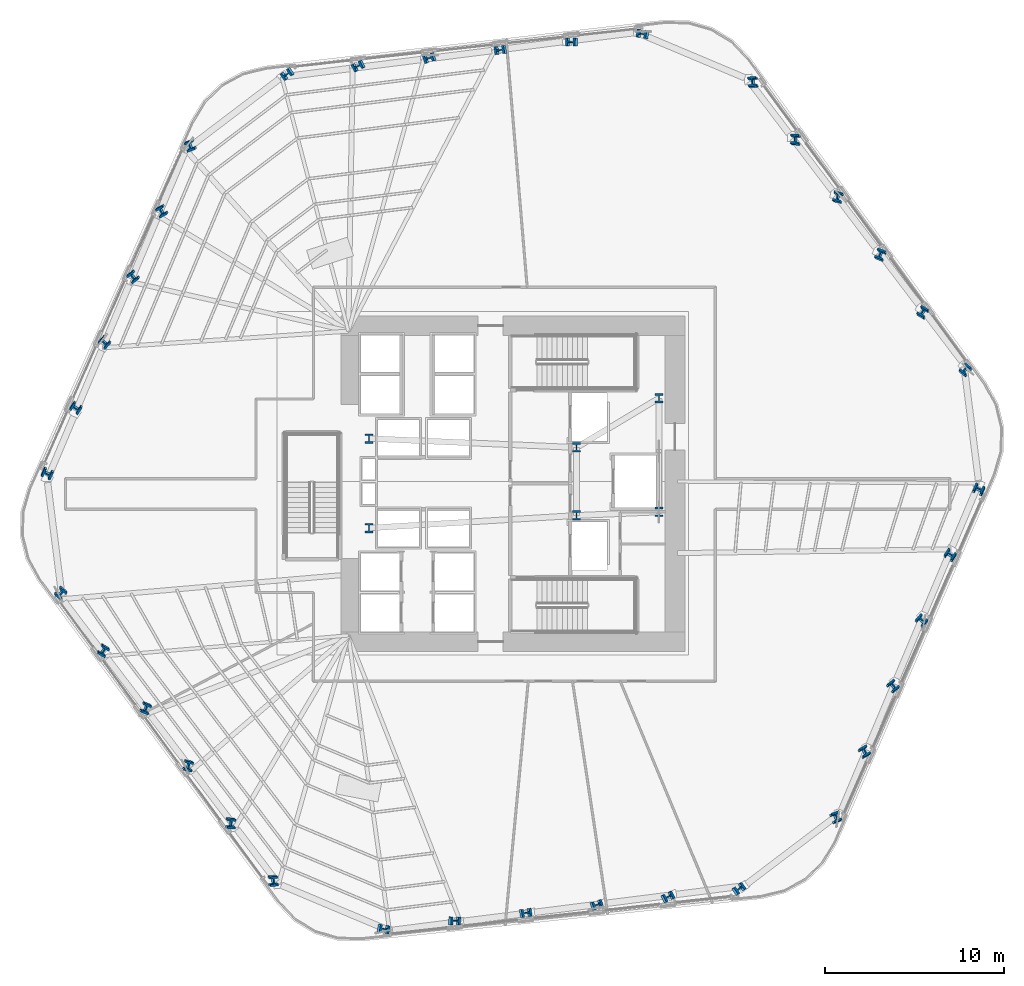
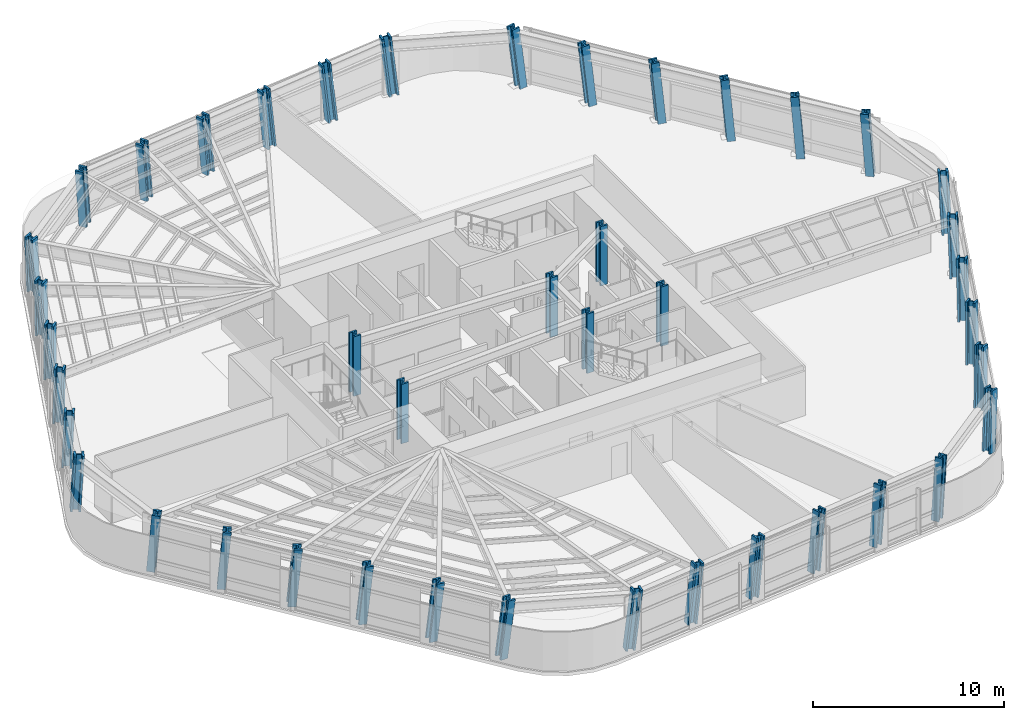
# One storey, part 1 of 16: 42 columns.
"""IFC4 building model written with IfcOpenShell, lengths in metres."""

from ifc_helpers import new_model, si_unit, direction, frame, origin, origin_2d, place, context, subcontext, project, spatial, i_section, extrude, material, material_profile, profile_set, type_object, element, save


model = new_model("IFC4")

# Units and contexts
model_context = context("Model", 3, precision=1e-05, world=origin(), true_north=direction((0.0, 1.0)))
body_context = subcontext(model_context, "Body", "Model", "MODEL_VIEW")
ifc_project = project(units=[si_unit("LENGTHUNIT", "METRE"), si_unit("AREAUNIT", "SQUARE_METRE"), si_unit("VOLUMEUNIT", "CUBIC_METRE"), si_unit("PLANEANGLEUNIT", "RADIAN"), si_unit("MASSUNIT", "GRAM", prefix="KILO")], contexts=[model_context])

# Site, building, storey
site_placement = place(None, origin())
site = spatial("IfcSite", under=ifc_project, at=site_placement, CompositionType="ELEMENT")
building_placement = place(site_placement, origin())
building = spatial("IfcBuilding", under=site, at=building_placement, Name="Valkerne Bourse Tower", CompositionType="ELEMENT")
storey_placement = place(building_placement, frame((0.0, 0.0, 50.60009765625)))
storey = spatial("IfcBuildingStorey", under=building, at=storey_placement, Name="L12", CompositionType="ELEMENT", Elevation=50.60009765625)

# Columns
ifc_material = material(Name="Steel ASTM A913 Grade 65", Category="steel")
ifc_material_profile_1 = material_profile(ifc_material, i_section(OverallWidth=0.44189453125, OverallDepth=0.531005859375, WebThickness=0.06591796875, FlangeThickness=0.105712890625, FilletRadius=0.030517578125, at=origin_2d()), Name="W14X605")
ifc_profile_set_1 = profile_set([ifc_material_profile_1], Name="Steel ASTM A913 Grade 65")
column_type_1 = type_object("IfcColumnType", Name="COL-W14X605", PredefinedType="COLUMN", material=ifc_profile_set_1)
for number, where, z_axis, x_axis, name in (
    (1, (38.75, 24.39990234375, 0.0048828125), (0.0, 0.0, 1.0), (1.0, 0.0, 0.0), "L12 Core Frame Column CC-SW"),
    (2, (38.75, 29.39990234375, 0.0048828125), (0.0, 0.0, 1.0), (1.0, 0.0, 0.0), "L12 Core Frame Column CC-NW"),
    (3, (50.35009765625, 25.10009765625, 0.0048828125), (0.0, 0.0, 1.0), (1.0, 0.0, 0.0), "L12 Core Frame Column CC-CE1"),
    (4, (50.35009765625, 28.89990234375, 0.0048828125), (0.0, 0.0, 1.0), (1.0, 0.0, 0.0), "L12 Core Frame Column CC-CE2"),
    (5, (54.949951171875, 25.300048828125, 0.0048828125), (0.0, 0.0, 1.0), (1.0, 0.0, 0.0), "L12 Core Frame Column CC-SE"),
    (6, (54.949951171875, 31.64990234375, 0.0048828125), (0.0, 0.0, 1.0), (1.0, 0.0, 0.0), "L12 Core Frame Column CC-NE"),
):
    element("IfcColumn", number, at=place(storey_placement, frame(where, z_axis=z_axis, x_axis=x_axis)), inside=storey, type_object=column_type_1, Name=name, PredefinedType="COLUMN", context=body_context, shape_type="SweptSolid", body=[
        extrude(i_section(OverallWidth=0.44189453125, OverallDepth=0.531005859375, WebThickness=0.06591796875, FlangeThickness=0.105712890625, FilletRadius=0.030517578125, at=origin_2d()), origin(), (0.0, 0.0, 1.0), 3.794921875),
    ])
ifc_material_profile_2 = material_profile(ifc_material, i_section(OverallWidth=0.44970703125, OverallDepth=0.548583984375, WebThickness=0.072021484375, FlangeThickness=0.11474609375, FilletRadius=0.030517578125, at=origin_2d()), Name="W14X665")
ifc_profile_set_2 = profile_set([ifc_material_profile_2], Name="Steel ASTM A913 Grade 65")
column_type_2 = type_object("IfcColumnType", Name="COL-W14X665", PredefinedType="COLUMN", material=ifc_profile_set_2)
column_1_placement = place(storey_placement, frame((72.08251953125, 33.17626953125, 0.010009765625), z_axis=(-0.026320506817, 0.104190689181, 0.994208997751), x_axis=(0.770230151317, -0.631858012514, 0.086608117541)))
element("IfcColumn", 7, at=column_1_placement, inside=storey, type_object=column_type_2, Name="L12 Helical Perimeter Tube Column F1-C1", PredefinedType="COLUMN", context=body_context, shape_type="SweptSolid", body=[
    extrude(i_section(OverallWidth=0.44970703125, OverallDepth=0.548583984375, WebThickness=0.072021484375, FlangeThickness=0.11474609375, FilletRadius=0.030517578125, at=origin_2d()), origin(), (0.0, 0.0, 1.0), 3.802978515625),
])
column_2_placement = place(storey_placement, frame((69.716796875, 36.396484375, 0.010009765625), z_axis=(-0.0395663128, 0.094419610092, 0.994745919379), x_axis=(0.855854243574, -0.510593947233, 0.082506574319)))
element("IfcColumn", 8, at=column_2_placement, inside=storey, type_object=column_type_2, Name="L12 Helical Perimeter Tube Column F1-C2", PredefinedType="COLUMN", context=body_context, shape_type="SweptSolid", body=[
    extrude(i_section(OverallWidth=0.44970703125, OverallDepth=0.548583984375, WebThickness=0.072021484375, FlangeThickness=0.11474609375, FilletRadius=0.030517578125, at=origin_2d()), origin(), (0.0, 0.0, 1.0), 3.801025390625),
])
for number, where, z_axis, x_axis, name in (
    (9, (67.35107421875, 39.6171875, 0.010009765625), (-0.052812375645, 0.084551199938, 0.995018566444), (0.926939413738, -0.366508329382, 0.080342813945), "L12 Helical Perimeter Tube Column F1-C3"),
    (10, (64.9853515625, 42.837646484375, 0.010009765625), (-0.066047663668, 0.074656989477, 0.99501961792), (0.974751144871, -0.208342499093, 0.080334355322), "L12 Helical Perimeter Tube Column F1-C4"),
):
    element("IfcColumn", number, at=place(storey_placement, frame(where, z_axis=z_axis, x_axis=x_axis)), inside=storey, type_object=column_type_2, Name=name, PredefinedType="COLUMN", context=body_context, shape_type="SweptSolid", body=[
        extrude(i_section(OverallWidth=0.44970703125, OverallDepth=0.548583984375, WebThickness=0.072021484375, FlangeThickness=0.11474609375, FilletRadius=0.030517578125, at=origin_2d()), origin(), (0.0, 0.0, 1.0), 3.800048828125),
    ])
column_3_placement = place(storey_placement, frame((62.61962890625, 46.05810546875, 0.010009765625), z_axis=(-0.079261338793, 0.064745080635, 0.994749071227), x_axis=(0.99540291324, -0.048680369553, 0.082481888516)))
element("IfcColumn", 11, at=column_3_placement, inside=storey, type_object=column_type_2, Name="L12 Helical Perimeter Tube Column F1-C5", PredefinedType="COLUMN", context=body_context, shape_type="SweptSolid", body=[
    extrude(i_section(OverallWidth=0.44970703125, OverallDepth=0.548583984375, WebThickness=0.072021484375, FlangeThickness=0.11474609375, FilletRadius=0.030517578125, at=origin_2d()), origin(), (0.0, 0.0, 1.0), 3.801025390625),
])
for number, where, z_axis, x_axis, name in (
    (12, (60.25390625, 49.278564453125, 0.010009765625), (-0.092442299249, 0.054887615179, 0.994204089214), (0.991210469894, 0.099972490713, 0.086644708277), "L12 Helical Perimeter Tube Column F1-C6"),
    (13, (54.092529296875, 51.9833984375, 0.010009765625), (-0.103420113811, 0.02927347728, 0.994206891742), (0.165734635519, 0.986099851892, -0.011794604161), "L12 Helical Perimeter Tube Column F2-C1"),
):
    element("IfcColumn", number, at=place(storey_placement, frame(where, z_axis=z_axis, x_axis=x_axis)), inside=storey, type_object=column_type_2, Name=name, PredefinedType="COLUMN", context=body_context, shape_type="SweptSolid", body=[
        extrude(i_section(OverallWidth=0.44970703125, OverallDepth=0.548583984375, WebThickness=0.072021484375, FlangeThickness=0.11474609375, FilletRadius=0.030517578125, at=origin_2d()), origin(), (0.0, 0.0, 1.0), 3.802978515625),
    ])
column_4_placement = place(storey_placement, frame((50.12060546875, 51.544921875, 0.010009765625), z_axis=(-0.101549336653, 0.012910446975, 0.994746727858), x_axis=(0.017071691826, 0.999791165117, -0.011233142598)))
element("IfcColumn", 14, at=column_4_placement, inside=storey, type_object=column_type_2, Name="L12 Helical Perimeter Tube Column F2-C2", PredefinedType="COLUMN", context=body_context, shape_type="SweptSolid", body=[
    extrude(i_section(OverallWidth=0.44970703125, OverallDepth=0.548583984375, WebThickness=0.072021484375, FlangeThickness=0.11474609375, FilletRadius=0.030517578125, at=origin_2d()), origin(), (0.0, 0.0, 1.0), 3.801025390625),
])
column_5_placement = place(storey_placement, frame((46.148681640625, 51.106201171875, 0.010009765625), z_axis=(-0.099585816433, -0.003469441347, 0.99502292845), x_axis=(-0.143729274507, 0.989556633011, -0.01093461079)))
element("IfcColumn", 15, at=column_5_placement, inside=storey, type_object=column_type_2, Name="L12 Helical Perimeter Tube Column F2-C3", PredefinedType="COLUMN", context=body_context, shape_type="SweptSolid", body=[
    extrude(i_section(OverallWidth=0.44970703125, OverallDepth=0.548583984375, WebThickness=0.072021484375, FlangeThickness=0.11474609375, FilletRadius=0.030517578125, at=origin_2d()), origin(), (0.0, 0.0, 1.0), 3.7998046875),
])
column_6_placement = place(storey_placement, frame((42.177001953125, 50.667724609375, 0.010009765625), z_axis=(-0.097721890795, -0.019852770714, 0.995015728295), x_axis=(-0.304888212437, 0.952325280387, -0.010942497545)))
element("IfcColumn", 16, at=column_6_placement, inside=storey, type_object=column_type_2, Name="L12 Helical Perimeter Tube Column F2-C4", PredefinedType="COLUMN", context=body_context, shape_type="SweptSolid", body=[
    extrude(i_section(OverallWidth=0.44970703125, OverallDepth=0.548583984375, WebThickness=0.072021484375, FlangeThickness=0.11474609375, FilletRadius=0.030517578125, at=origin_2d()), origin(), (0.0, 0.0, 1.0), 3.800048828125),
])
column_7_placement = place(storey_placement, frame((38.205078125, 50.229248046875, 0.010009765625), z_axis=(-0.095704657067, -0.036226460796, 0.994750351673), x_axis=(-0.453962226803, 0.890950166933, -0.011229277703)))
element("IfcColumn", 17, at=column_7_placement, inside=storey, type_object=column_type_2, Name="L12 Helical Perimeter Tube Column F2-C5", PredefinedType="COLUMN", context=body_context, shape_type="SweptSolid", body=[
    extrude(i_section(OverallWidth=0.44970703125, OverallDepth=0.548583984375, WebThickness=0.072021484375, FlangeThickness=0.11474609375, FilletRadius=0.030517578125, at=origin_2d()), origin(), (0.0, 0.0, 1.0), 3.801025390625),
])
for number, where, z_axis, x_axis, name in (
    (18, (34.233154296875, 49.790771484375, 0.010009765625), (-0.093726340778, -0.052640821533, 0.994205369606), (-0.581859100754, 0.813204056641, -0.01179614907), "L12 Helical Perimeter Tube Column F2-C6"),
    (19, (28.81005859375, 45.80712890625, 0.010009765625), (-0.077099498636, -0.074916831731, 0.994204775503), (-0.933004544867, -0.346139863621, -0.098436345272), "L12 Helical Perimeter Tube Column F3-C1"),
):
    element("IfcColumn", number, at=place(storey_placement, frame(where, z_axis=z_axis, x_axis=x_axis)), inside=storey, type_object=column_type_2, Name=name, PredefinedType="COLUMN", context=body_context, shape_type="SweptSolid", body=[
        extrude(i_section(OverallWidth=0.44970703125, OverallDepth=0.548583984375, WebThickness=0.072021484375, FlangeThickness=0.11474609375, FilletRadius=0.030517578125, at=origin_2d()), origin(), (0.0, 0.0, 1.0), 3.802978515625),
    ])
column_8_placement = place(storey_placement, frame((27.203857421875, 42.148193359375, 0.010009765625), z_axis=(-0.061918799572, -0.081509291138, 0.994747353712), x_axis=(-0.871051529318, -0.482166288417, -0.093727816508)))
element("IfcColumn", 20, at=column_8_placement, inside=storey, type_object=column_type_2, Name="L12 Helical Perimeter Tube Column F3-C2", PredefinedType="COLUMN", context=body_context, shape_type="SweptSolid", body=[
    extrude(i_section(OverallWidth=0.44970703125, OverallDepth=0.548583984375, WebThickness=0.072021484375, FlangeThickness=0.11474609375, FilletRadius=0.030517578125, at=origin_2d()), origin(), (0.0, 0.0, 1.0), 3.801025390625),
])
column_9_placement = place(storey_placement, frame((25.59765625, 38.4892578125, 0.010009765625), z_axis=(-0.046773067549, -0.088020745251, 0.995019913649), x_axis=(-0.782480651534, -0.615949541086, -0.091269889947)))
element("IfcColumn", 21, at=column_9_placement, inside=storey, type_object=column_type_2, Name="L12 Helical Perimeter Tube Column F3-C3", PredefinedType="COLUMN", context=body_context, shape_type="SweptSolid", body=[
    extrude(i_section(OverallWidth=0.44970703125, OverallDepth=0.548583984375, WebThickness=0.072021484375, FlangeThickness=0.11474609375, FilletRadius=0.030517578125, at=origin_2d()), origin(), (0.0, 0.0, 1.0), 3.800048828125),
])
column_10_placement = place(storey_placement, frame((23.991455078125, 34.830078125, 0.010009765625), z_axis=(-0.0316104337, -0.094510056854, 0.995021924198), x_axis=(-0.670188810506, -0.736559651432, -0.09125151043)))
element("IfcColumn", 22, at=column_10_placement, inside=storey, type_object=column_type_2, Name="L12 Helical Perimeter Tube Column F3-C4", PredefinedType="COLUMN", context=body_context, shape_type="SweptSolid", body=[
    extrude(i_section(OverallWidth=0.44970703125, OverallDepth=0.548583984375, WebThickness=0.072021484375, FlangeThickness=0.11474609375, FilletRadius=0.030517578125, at=origin_2d()), origin(), (0.0, 0.0, 1.0), 3.7998046875),
])
column_11_placement = place(storey_placement, frame((22.38525390625, 31.171142578125, 0.010009765625), z_axis=(-0.016443159636, -0.101035508234, 0.9947469269), x_axis=(-0.543041104625, -0.834458353154, -0.093731614405)))
element("IfcColumn", 23, at=column_11_placement, inside=storey, type_object=column_type_2, Name="L12 Helical Perimeter Tube Column F3-C5", PredefinedType="COLUMN", context=body_context, shape_type="SweptSolid", body=[
    extrude(i_section(OverallWidth=0.44970703125, OverallDepth=0.548583984375, WebThickness=0.072021484375, FlangeThickness=0.11474609375, FilletRadius=0.030517578125, at=origin_2d()), origin(), (0.0, 0.0, 1.0), 3.801025390625),
])
for number, where, z_axis, x_axis, name in (
    (24, (20.779296875, 27.51220703125, 0.010009765625), (-0.001283925979, -0.10746460446, 0.994208082004), (-0.412794769728, -0.905492284055, -0.098408341119), "L12 Helical Perimeter Tube Column F3-C6"),
    (25, (21.517578125, 20.82373046875, 0.010009765625), (0.026320506817, -0.104190689181, 0.994208997751), (0.770230151317, -0.631858012514, -0.086608117541), "L12 Helical Perimeter Tube Column F4-C1"),
):
    element("IfcColumn", number, at=place(storey_placement, frame(where, z_axis=z_axis, x_axis=x_axis)), inside=storey, type_object=column_type_2, Name=name, PredefinedType="COLUMN", context=body_context, shape_type="SweptSolid", body=[
        extrude(i_section(OverallWidth=0.44970703125, OverallDepth=0.548583984375, WebThickness=0.072021484375, FlangeThickness=0.11474609375, FilletRadius=0.030517578125, at=origin_2d()), origin(), (0.0, 0.0, 1.0), 3.802978515625),
    ])
column_12_placement = place(storey_placement, frame((23.88330078125, 17.603515625, 0.010009765625), z_axis=(0.0395663128, -0.094419610092, 0.994745919379), x_axis=(0.855854243574, -0.510593947233, -0.082506574319)))
element("IfcColumn", 26, at=column_12_placement, inside=storey, type_object=column_type_2, Name="L12 Helical Perimeter Tube Column F4-C2", PredefinedType="COLUMN", context=body_context, shape_type="SweptSolid", body=[
    extrude(i_section(OverallWidth=0.44970703125, OverallDepth=0.548583984375, WebThickness=0.072021484375, FlangeThickness=0.11474609375, FilletRadius=0.030517578125, at=origin_2d()), origin(), (0.0, 0.0, 1.0), 3.801025390625),
])
for number, where, z_axis, x_axis, name in (
    (27, (26.248779296875, 14.3828125, 0.010009765625), (0.052876444752, -0.084550912872, 0.995015188187), (0.927138102656, -0.365999459324, -0.080369984307), "L12 Helical Perimeter Tube Column F4-C3"),
    (28, (28.614501953125, 11.162353515625, 0.010009765625), (0.066047663668, -0.074656989477, 0.99501961792), (0.974751144871, -0.208342499093, -0.080334355322), "L12 Helical Perimeter Tube Column F4-C4"),
):
    element("IfcColumn", number, at=place(storey_placement, frame(where, z_axis=z_axis, x_axis=x_axis)), inside=storey, type_object=column_type_2, Name=name, PredefinedType="COLUMN", context=body_context, shape_type="SweptSolid", body=[
        extrude(i_section(OverallWidth=0.44970703125, OverallDepth=0.548583984375, WebThickness=0.072021484375, FlangeThickness=0.11474609375, FilletRadius=0.030517578125, at=origin_2d()), origin(), (0.0, 0.0, 1.0), 3.800048828125),
    ])
column_13_placement = place(storey_placement, frame((30.980224609375, 7.94189453125, 0.010009765625), z_axis=(0.079261338793, -0.064745080635, 0.994749071227), x_axis=(0.99540291324, -0.048680369553, -0.082481888516)))
element("IfcColumn", 29, at=column_13_placement, inside=storey, type_object=column_type_2, Name="L12 Helical Perimeter Tube Column F4-C5", PredefinedType="COLUMN", context=body_context, shape_type="SweptSolid", body=[
    extrude(i_section(OverallWidth=0.44970703125, OverallDepth=0.548583984375, WebThickness=0.072021484375, FlangeThickness=0.11474609375, FilletRadius=0.030517578125, at=origin_2d()), origin(), (0.0, 0.0, 1.0), 3.801025390625),
])
for number, where, z_axis, x_axis, name in (
    (30, (33.345947265625, 4.721435546875, 0.010009765625), (0.092442299249, -0.054887615179, 0.994204089214), (0.991210469894, 0.099972490713, -0.086644708277), "L12 Helical Perimeter Tube Column F4-C6"),
    (31, (39.507568359375, 2.0166015625, 0.010009765625), (0.103420113811, -0.02927347728, 0.994206891742), (0.165734635519, 0.986099851892, 0.011794604161), "L12 Helical Perimeter Tube Column F5-C1"),
):
    element("IfcColumn", number, at=place(storey_placement, frame(where, z_axis=z_axis, x_axis=x_axis)), inside=storey, type_object=column_type_2, Name=name, PredefinedType="COLUMN", context=body_context, shape_type="SweptSolid", body=[
        extrude(i_section(OverallWidth=0.44970703125, OverallDepth=0.548583984375, WebThickness=0.072021484375, FlangeThickness=0.11474609375, FilletRadius=0.030517578125, at=origin_2d()), origin(), (0.0, 0.0, 1.0), 3.802978515625),
    ])
column_14_placement = place(storey_placement, frame((43.4794921875, 2.455078125, 0.010009765625), z_axis=(0.10148576732, -0.012910531159, 0.994753214228), x_axis=(0.017150153479, 0.999789899997, 0.011226223762)))
element("IfcColumn", 32, at=column_14_placement, inside=storey, type_object=column_type_2, Name="L12 Helical Perimeter Tube Column F5-C2", PredefinedType="COLUMN", context=body_context, shape_type="SweptSolid", body=[
    extrude(i_section(OverallWidth=0.44970703125, OverallDepth=0.548583984375, WebThickness=0.072021484375, FlangeThickness=0.11474609375, FilletRadius=0.030517578125, at=origin_2d()), origin(), (0.0, 0.0, 1.0), 3.801025390625),
])
column_15_placement = place(storey_placement, frame((47.451171875, 2.893798828125, 0.010009765625), z_axis=(0.099649427558, 0.003469419141, 0.995016560022), x_axis=(-0.143706375472, 0.989559881628, 0.010941586799)))
element("IfcColumn", 33, at=column_15_placement, inside=storey, type_object=column_type_2, Name="L12 Helical Perimeter Tube Column F5-C3", PredefinedType="COLUMN", context=body_context, shape_type="SweptSolid", body=[
    extrude(i_section(OverallWidth=0.44970703125, OverallDepth=0.548583984375, WebThickness=0.072021484375, FlangeThickness=0.11474609375, FilletRadius=0.030517578125, at=origin_2d()), origin(), (0.0, 0.0, 1.0), 3.800048828125),
])
column_16_placement = place(storey_placement, frame((51.423095703125, 3.332275390625, 0.010009765625), z_axis=(0.097658255291, 0.019852895319, 0.995021973486), x_axis=(-0.305011116438, 0.95228600234, 0.010935657149)))
element("IfcColumn", 34, at=column_16_placement, inside=storey, type_object=column_type_2, Name="L12 Helical Perimeter Tube Column F5-C4", PredefinedType="COLUMN", context=body_context, shape_type="SweptSolid", body=[
    extrude(i_section(OverallWidth=0.44970703125, OverallDepth=0.548583984375, WebThickness=0.072021484375, FlangeThickness=0.11474609375, FilletRadius=0.030517578125, at=origin_2d()), origin(), (0.0, 0.0, 1.0), 3.7998046875),
])
column_17_placement = place(storey_placement, frame((55.39501953125, 3.770751953125, 0.010009765625), z_axis=(0.095704657067, 0.036226460796, 0.994750351673), x_axis=(-0.453962226803, 0.890950166933, 0.011229277703)))
element("IfcColumn", 35, at=column_17_placement, inside=storey, type_object=column_type_2, Name="L12 Helical Perimeter Tube Column F5-C5", PredefinedType="COLUMN", context=body_context, shape_type="SweptSolid", body=[
    extrude(i_section(OverallWidth=0.44970703125, OverallDepth=0.548583984375, WebThickness=0.072021484375, FlangeThickness=0.11474609375, FilletRadius=0.030517578125, at=origin_2d()), origin(), (0.0, 0.0, 1.0), 3.801025390625),
])
for number, where, z_axis, x_axis, name in (
    (36, (59.36669921875, 4.209228515625, 0.010009765625), (0.093789972388, 0.052640504694, 0.994199385609), (-0.581620814163, 0.813374413244, 0.011802220613), "L12 Helical Perimeter Tube Column F5-C6"),
    (37, (64.789794921875, 8.19287109375, 0.010009765625), (0.077099498636, 0.074916831731, 0.994204775503), (-0.933004544867, -0.346139863621, 0.098436345272), "L12 Helical Perimeter Tube Column F6-C1"),
):
    element("IfcColumn", number, at=place(storey_placement, frame(where, z_axis=z_axis, x_axis=x_axis)), inside=storey, type_object=column_type_2, Name=name, PredefinedType="COLUMN", context=body_context, shape_type="SweptSolid", body=[
        extrude(i_section(OverallWidth=0.44970703125, OverallDepth=0.548583984375, WebThickness=0.072021484375, FlangeThickness=0.11474609375, FilletRadius=0.030517578125, at=origin_2d()), origin(), (0.0, 0.0, 1.0), 3.802978515625),
    ])
column_18_placement = place(storey_placement, frame((66.39599609375, 11.851806640625, 0.010009765625), z_axis=(0.061982784052, 0.0815089668, 0.99474339546), x_axis=(-0.87129006118, -0.48172826685, 0.093763032199)))
element("IfcColumn", 38, at=column_18_placement, inside=storey, type_object=column_type_2, Name="L12 Helical Perimeter Tube Column F6-C2", PredefinedType="COLUMN", context=body_context, shape_type="SweptSolid", body=[
    extrude(i_section(OverallWidth=0.44970703125, OverallDepth=0.548583984375, WebThickness=0.072021484375, FlangeThickness=0.11474609375, FilletRadius=0.030517578125, at=origin_2d()), origin(), (0.0, 0.0, 1.0), 3.801025390625),
])
for number, where, z_axis, x_axis, name in (
    (39, (68.002197265625, 15.5107421875, 0.010009765625), (0.046837175421, 0.088020480558, 0.995016921465), (-0.782829730639, -0.615501768877, 0.091297236198), "L12 Helical Perimeter Tube Column F6-C3"),
    (40, (69.6083984375, 19.169921875, 0.010009765625), (0.031674618154, 0.094509864716, 0.995019901327), (-0.670638346187, -0.736148079705, 0.091270002577), "L12 Helical Perimeter Tube Column F6-C4"),
):
    element("IfcColumn", number, at=place(storey_placement, frame(where, z_axis=z_axis, x_axis=x_axis)), inside=storey, type_object=column_type_2, Name=name, PredefinedType="COLUMN", context=body_context, shape_type="SweptSolid", body=[
        extrude(i_section(OverallWidth=0.44970703125, OverallDepth=0.548583984375, WebThickness=0.072021484375, FlangeThickness=0.11474609375, FilletRadius=0.030517578125, at=origin_2d()), origin(), (0.0, 0.0, 1.0), 3.800048828125),
    ])
column_19_placement = place(storey_placement, frame((71.214599609375, 22.828857421875, 0.010009765625), z_axis=(0.016443159636, 0.101035508234, 0.9947469269), x_axis=(-0.543041104625, -0.834458353154, 0.093731614405)))
element("IfcColumn", 41, at=column_19_placement, inside=storey, type_object=column_type_2, Name="L12 Helical Perimeter Tube Column F6-C5", PredefinedType="COLUMN", context=body_context, shape_type="SweptSolid", body=[
    extrude(i_section(OverallWidth=0.44970703125, OverallDepth=0.548583984375, WebThickness=0.072021484375, FlangeThickness=0.11474609375, FilletRadius=0.030517578125, at=origin_2d()), origin(), (0.0, 0.0, 1.0), 3.801025390625),
])
column_20_placement = place(storey_placement, frame((72.82080078125, 26.48779296875, 0.010009765625), z_axis=(0.001283925979, 0.10746460446, 0.994208082004), x_axis=(-0.412794769728, -0.905492284055, 0.098408341119)))
element("IfcColumn", 42, at=column_20_placement, inside=storey, type_object=column_type_2, Name="L12 Helical Perimeter Tube Column F6-C6", PredefinedType="COLUMN", context=body_context, shape_type="SweptSolid", body=[
    extrude(i_section(OverallWidth=0.44970703125, OverallDepth=0.548583984375, WebThickness=0.072021484375, FlangeThickness=0.11474609375, FilletRadius=0.030517578125, at=origin_2d()), origin(), (0.0, 0.0, 1.0), 3.802978515625),
])

save(model, "model.ifc")
